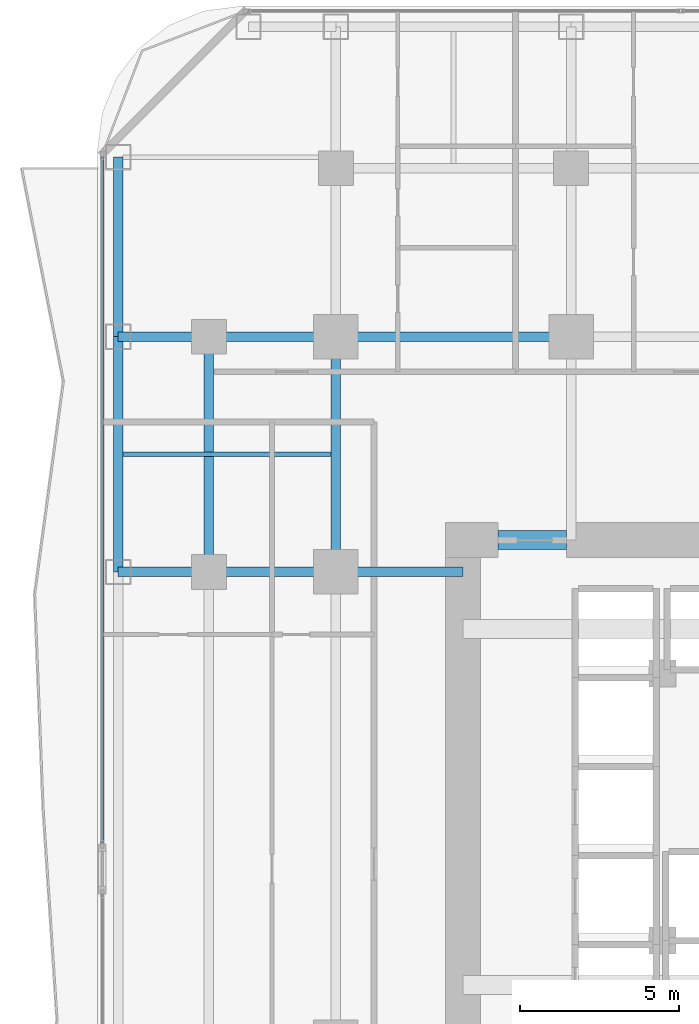
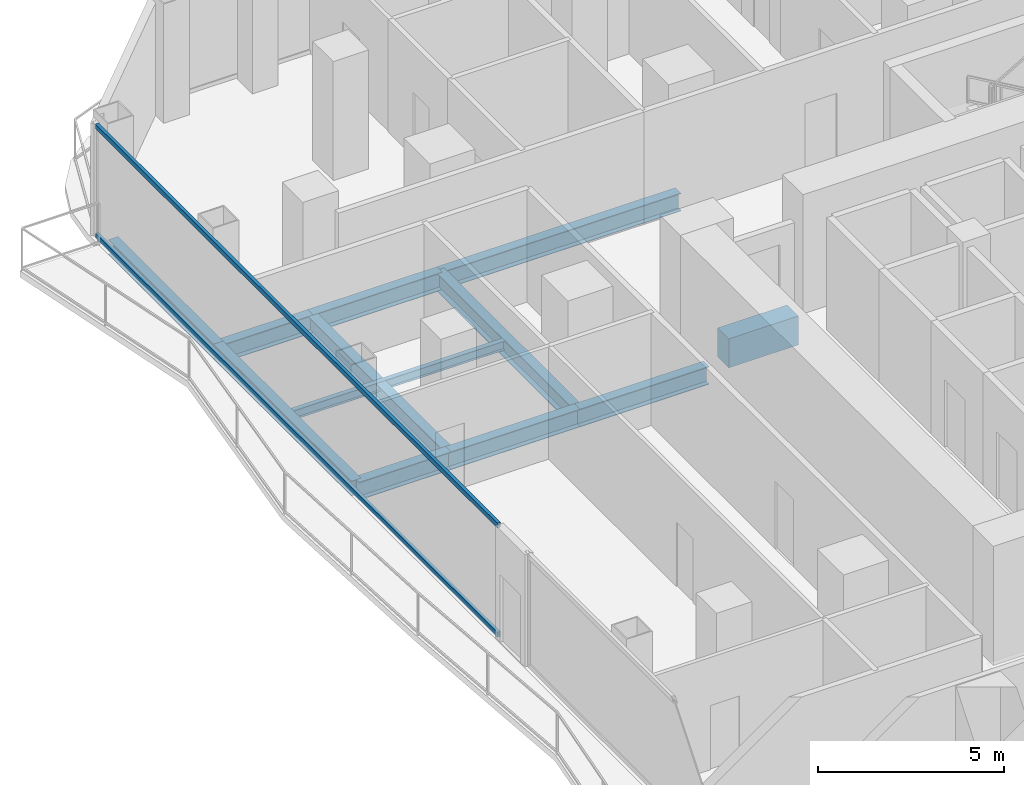
# One storey, part 13 of 27: 12 beams, 2 members, 1 element without a shape of its own.
"""IFC4 building model written with IfcOpenShell, lengths in metres."""

import ifcopenshell
import ifcopenshell.guid

model = None  # the IFC model being written
_history = None  # IfcOwnerHistory: only IFC2X3 demands one
_inside = {}  # id of a spatial element -> (the spatial element, [elements in it])
_under = {}  # id of a project, library or spatial element -> (it, [spatial elements below it])
_declared = {}  # id of a project -> (the project, [libraries it declares])
_typed = {}  # id of a type object -> (the type object, [elements of that type])
_made_of = {}  # id of a material, layer set ... -> (it, [elements and type objects made of it])


def new_model(schema):
    """Start an empty IFC model of exactly this schema.

    Asked for "IFC4X3", IfcOpenShell would pick the latest addendum, in which some entities
    have other attributes; the version numbers below select the first issue.
    IFC2X3 requires an IfcOwnerHistory on every rooted entity: one is made here for all.
    """
    global model, _history
    if schema == "IFC4X3":
        model = ifcopenshell.file(schema_version=(4, 3, 0, 0))
    else:
        model = ifcopenshell.file(schema=schema)
    _inside.clear()
    _under.clear()
    _declared.clear()
    _typed.clear()
    _made_of.clear()
    _history = None
    if model.schema == "IFC2X3":
        org = make("IfcOrganization", Name="unknown")
        user = make(
            "IfcPersonAndOrganization",
            ThePerson=make("IfcPerson", FamilyName="unknown"),
            TheOrganization=org,
        )
        app = make(
            "IfcApplication",
            ApplicationDeveloper=org,
            Version="unknown",
            ApplicationFullName="unknown",
            ApplicationIdentifier="unknown",
        )
        _history = make(
            "IfcOwnerHistory",
            OwningUser=user,
            OwningApplication=app,
            ChangeAction="ADDED",
            CreationDate=0,
        )
    return model


def make(cls, **values):
    """One entity of the class cls with the attributes given. An attribute that is None is left unset."""
    return model.create_entity(
        cls, **{name: value for name, value in values.items() if value is not None}
    )


def rooted(cls, **values):
    """An entity with a GlobalId (a new one), such as an element, a storey or a relation."""
    return make(cls, GlobalId=ifcopenshell.guid.new(), OwnerHistory=_history, **values)


def si_unit(unit_type, name, prefix=None):
    """IfcSIUnit, for example si_unit("LENGTHUNIT", "METRE", prefix="MILLI")."""
    return make("IfcSIUnit", UnitType=unit_type, Prefix=prefix, Name=name)


def assignment(units):
    """IfcUnitAssignment: the units of a project."""
    return None if units is None else make("IfcUnitAssignment", Units=units)


def point(xyz):
    """IfcCartesianPoint."""
    return None if xyz is None else make("IfcCartesianPoint", Coordinates=xyz)


def direction(xyz):
    """IfcDirection."""
    return None if xyz is None else make("IfcDirection", DirectionRatios=xyz)


def frame(location, z_axis=None, x_axis=None):
    """IfcAxis2Placement3D, a coordinate frame: its origin and axes. An axis left out is left unset."""
    return make(
        "IfcAxis2Placement3D",
        Location=point(location),
        Axis=direction(z_axis),
        RefDirection=direction(x_axis),
    )


def frame_2d(location, x_axis=None):
    """IfcAxis2Placement2D, a coordinate frame in the plane: its origin and x axis."""
    return make(
        "IfcAxis2Placement2D", Location=point(location), RefDirection=direction(x_axis)
    )


def origin():
    """The frame at (0, 0, 0) with its axes left unset."""
    return frame((0.0, 0.0, 0.0))


def origin_2d():
    """The frame at (0, 0) in the plane with its x axis left unset."""
    return frame_2d((0.0, 0.0))


def place(relative_to, where):
    """IfcLocalPlacement: puts the frame where relative to a parent placement (None: the world)."""
    return make(
        "IfcLocalPlacement", PlacementRelTo=relative_to, RelativePlacement=where
    )


def context(
    kind, dimensions, precision=None, world=None, true_north=None, identifier=None
):
    """IfcGeometricRepresentationContext, for example the 3D "Model" context."""
    return make(
        "IfcGeometricRepresentationContext",
        ContextIdentifier=identifier,
        ContextType=kind,
        CoordinateSpaceDimension=dimensions,
        Precision=precision,
        WorldCoordinateSystem=world,
        TrueNorth=true_north,
    )


def subcontext(parent, identifier, kind, view, scale=None):
    """IfcGeometricRepresentationSubContext, for example "Body" below "Model"."""
    return make(
        "IfcGeometricRepresentationSubContext",
        ContextIdentifier=identifier,
        ContextType=kind,
        ParentContext=parent,
        TargetScale=scale,
        TargetView=view,
    )


def project(units=None, contexts=None):
    """IfcProject with its units and contexts."""
    return rooted(
        "IfcProject",
        Name="project",
        RepresentationContexts=contexts,
        UnitsInContext=assignment(units),
    )


def spatial(cls, under=None, at=None, **own):
    """A site, building, storey or space (cls), placed at a placement, below another one or the project."""
    s = rooted(cls, ObjectPlacement=at, **own)
    if under is not None:
        _under.setdefault(under.id(), (under, []))[1].append(s)
    return s


def profile(cls, at=None, kind="AREA", **sizes):
    """A parametric profile (cls). Its sizes go by their IFC names, for example OverallWidth=200.0."""
    return make(cls, ProfileType=kind, Position=at, **sizes)


def rectangle(**sizes):
    """IfcRectangleProfileDef."""
    return profile("IfcRectangleProfileDef", **sizes)


def hollow_rectangle(**sizes):
    """IfcRectangleHollowProfileDef."""
    return profile("IfcRectangleHollowProfileDef", **sizes)


def i_section(**sizes):
    """IfcIShapeProfileDef."""
    return profile("IfcIShapeProfileDef", **sizes)


def extrude(swept, where, along, depth):
    """IfcExtrudedAreaSolid: the profile swept, set in the frame where, extruded along a direction by depth."""
    return make(
        "IfcExtrudedAreaSolid",
        SweptArea=swept,
        Position=where,
        ExtrudedDirection=direction(along),
        Depth=depth,
    )


def shape(context_of_items, identifier, shape_type, items):
    """IfcShapeRepresentation: the items that make up one representation, for example the "Body"."""
    return make(
        "IfcShapeRepresentation",
        ContextOfItems=context_of_items,
        RepresentationIdentifier=identifier,
        RepresentationType=shape_type,
        Items=items,
    )


def material(Name=None, Category=None):
    """IfcMaterial."""
    return make("IfcMaterial", Name=Name, Category=Category)


def layer(
    of_material, thickness, ventilated=None, Name=None, Category=None, Priority=None
):
    """IfcMaterialLayer: one layer of a wall or slab, of a material (None: an air gap)."""
    return make(
        "IfcMaterialLayer",
        Material=of_material,
        LayerThickness=thickness,
        IsVentilated=ventilated,
        Name=Name,
        Category=Category,
        Priority=Priority,
    )


def layer_set(layers, Name=None):
    """IfcMaterialLayerSet."""
    return make("IfcMaterialLayerSet", MaterialLayers=layers, LayerSetName=Name)


def material_profile(
    of_material, cross_section, Name=None, Category=None, Priority=None
):
    """IfcMaterialProfile: a cross section and its material."""
    return make(
        "IfcMaterialProfile",
        Name=Name,
        Material=of_material,
        Profile=cross_section,
        Priority=Priority,
        Category=Category,
    )


def profile_set(profiles, Name=None, composite=None):
    """IfcMaterialProfileSet."""
    return make(
        "IfcMaterialProfileSet",
        Name=Name,
        MaterialProfiles=profiles,
        CompositeProfile=composite,
    )


def made_of(thing, what):
    """Note that an element or type object is made of a material, layer set ...; save() writes the relation."""
    if what is not None:
        _made_of.setdefault(what.id(), (what, []))[1].append(thing)
    return thing


def type_object(cls, material=None, **own):
    """A type object (cls), such as IfcWallType, which elements share."""
    return made_of(rooted(cls, **own), material)


def element(
    cls,
    number,
    at=None,
    inside=None,
    cuts=None,
    type_object=None,
    material=None,
    context=None,
    identifier="Body",
    shape_type=None,
    held_by="IfcProductDefinitionShape",
    body=None,
    shapes=None,
    **own,
):
    """One element of the class cls, such as IfcWall. Its Tag is "e" and its number.

    at: its placement. inside: the storey or other place that contains it. cuts: it is an
    opening in that element (IfcRelVoidsElement). A single representation is given by context,
    identifier, shape_type and body (its items); several are given by shapes. held_by: the class
    of the entity that holds the representations. save() writes the other relations.
    """
    e = rooted(cls, Tag="e%d" % number, ObjectPlacement=at, **own)
    if body is not None:
        shapes = [shape(context, identifier, shape_type, body)]
    if shapes is not None:
        e.Representation = make(held_by, Representations=shapes)
    if inside is not None:
        _inside.setdefault(inside.id(), (inside, []))[1].append(e)
    if cuts is not None:
        rooted(
            "IfcRelVoidsElement", RelatingBuildingElement=cuts, RelatedOpeningElement=e
        )
    if type_object is not None:
        _typed.setdefault(type_object.id(), (type_object, []))[1].append(e)
    return made_of(e, material)


def aggregate(whole, parts):
    """IfcRelAggregates: a whole, such as a stair, and the parts it consists of."""
    return rooted("IfcRelAggregates", RelatingObject=whole, RelatedObjects=parts)


def save(model, path):
    """Write the relations noted so far, then the file.

    IfcRelAggregates (storeys below a building ...), IfcRelContainedInSpatialStructure (elements
    in a storey), IfcRelDefinesByType, IfcRelAssociatesMaterial and IfcRelDeclares: one each for
    every whole, place, type object, material and project.
    """
    for whole, parts in _under.values():
        aggregate(whole, parts)
    for where, things in _inside.values():
        rooted(
            "IfcRelContainedInSpatialStructure",
            RelatedElements=things,
            RelatingStructure=where,
        )
    for kind, things in _typed.values():
        rooted("IfcRelDefinesByType", RelatedObjects=things, RelatingType=kind)
    for what, things in _made_of.values():
        rooted("IfcRelAssociatesMaterial", RelatedObjects=things, RelatingMaterial=what)
    for by, libraries in _declared.values():
        rooted("IfcRelDeclares", RelatingContext=by, RelatedDefinitions=libraries)
    model.write(path)


model = new_model("IFC4")

# Units and contexts
model_context = context("Model", 3, precision=1e-05, world=origin(), true_north=direction((0.0, 1.0)))
body_context = subcontext(model_context, "Body", "Model", "MODEL_VIEW")
ifc_project = project(units=[si_unit("LENGTHUNIT", "METRE"), si_unit("AREAUNIT", "SQUARE_METRE"), si_unit("VOLUMEUNIT", "CUBIC_METRE"), si_unit("PLANEANGLEUNIT", "RADIAN"), si_unit("MASSUNIT", "GRAM", prefix="KILO")], contexts=[model_context])

# Site, building, storey
site_placement = place(None, origin())
site = spatial("IfcSite", under=ifc_project, at=site_placement, CompositionType="ELEMENT")
building_placement = place(site_placement, origin())
building = spatial("IfcBuilding", under=site, at=building_placement, Name="Khorvyn Point Tower", CompositionType="ELEMENT")
storey_placement = place(building_placement, frame((0.0, 0.0, 42.300048828125)))
storey = spatial("IfcBuildingStorey", under=building, at=storey_placement, Name="L11", CompositionType="ELEMENT", Elevation=42.300048828125)

# Curtain wall, members
ifc_material_1 = material(Name="Anodised aluminium 6063-T6 and laminated Low-E glass", Category="aluminium")
ifc_layer = layer(ifc_material_1, 0.18994140625)
ifc_layer_set = layer_set([ifc_layer], Name="Stick-Built Finned Residential Curtain Wall CW-SYS-02")
curtain_wall_type = type_object("IfcCurtainWallType", Name="Stick-Built Finned Residential Curtain Wall CW-SYS-02", PredefinedType="NOTDEFINED", material=ifc_layer_set)
curtain_wall_placement = place(storey_placement, origin())
curtain_wall = element("IfcCurtainWall", 1, at=curtain_wall_placement, inside=storey, type_object=curtain_wall_type, Name="Curtain Wall", PredefinedType="NOTDEFINED")
ifc_material_2 = material(Name="Anodised aluminium 6063-T6", Category="aluminium")
ifc_material_profile_1 = material_profile(ifc_material_2, hollow_rectangle(XDim=0.10009765625, YDim=0.159912109375, WallThickness=0.00439453125, at=origin_2d()))
ifc_profile_set_1 = profile_set([ifc_material_profile_1], Name="Anodised aluminium 6063-T6 ALU-TRN-100x160")
member_type = type_object("IfcMemberType", Name="Anodised Aluminium 6063-T6 Transom ALU-TRN-100x160", PredefinedType="USERDEFINED", material=ifc_profile_set_1)
member_1_placement = place(storey_placement, frame((-22.14990234375, -1.1220703125, 0.050048828125), z_axis=(0.0, 1.0, 0.0), x_axis=(-1.0, 0.0, 0.0)))
member_1 = element("IfcMember", 2, at=member_1_placement, type_object=member_type, Name="Transom", ObjectType="TRANSOM", PredefinedType="USERDEFINED", context=body_context, shape_type="SweptSolid", body=[
    extrude(hollow_rectangle(XDim=0.10009765625, YDim=0.159912109375, WallThickness=0.00439453125, at=origin_2d()), origin(), (0.0, 0.0, 1.0), 21.572021484375),
])
member_2_placement = place(storey_placement, frame((-22.14990234375, -1.1220703125, 3.6298828125), z_axis=(0.0, 1.0, 0.0), x_axis=(-1.0, 0.0, 0.0)))
member_2 = element("IfcMember", 3, at=member_2_placement, type_object=member_type, Name="Transom", ObjectType="TRANSOM", PredefinedType="USERDEFINED", context=body_context, shape_type="SweptSolid", body=[
    extrude(hollow_rectangle(XDim=0.10009765625, YDim=0.159912109375, WallThickness=0.00439453125, at=origin_2d()), origin(), (0.0, 0.0, 1.0), 21.572021484375),
])
aggregate(curtain_wall, [member_1, member_2])

# Beams
ifc_material_3 = material(Name="Concrete C50/60", Category="concrete")
ifc_material_profile_2 = material_profile(ifc_material_3, rectangle(XDim=0.60009765625, YDim=0.949951171875, at=origin_2d()))
ifc_profile_set_2 = profile_set([ifc_material_profile_2], Name="Concrete C50/60 RC600x950")
beam_type_1 = type_object("IfcBeamType", Name="Concrete C50/60 Beam RC600x950", PredefinedType="BEAM", material=ifc_profile_set_2)
beam_1_placement = place(storey_placement, frame((-9.699951171875, 8.39990234375, -0.695068359375), z_axis=(1.0, 0.0, 0.0), x_axis=(0.0, 1.0, 0.0)))
element("IfcBeam", 4, at=beam_1_placement, inside=storey, type_object=beam_type_1, Name="L11 Core Northwest Portal Coupling Beam", PredefinedType="BEAM", context=body_context, shape_type="SweptSolid", body=[
    extrude(rectangle(XDim=0.60009765625, YDim=0.949951171875, at=origin_2d()), origin(), (0.0, 0.0, 1.0), 2.14990234375),
])
ifc_material_4 = material(Name="Steel S355", Category="steel")
ifc_material_profile_3 = material_profile(ifc_material_4, i_section(OverallWidth=0.300048828125, OverallDepth=0.587890625, WebThickness=0.011962890625, FlangeThickness=0.02001953125, at=origin_2d()))
ifc_profile_set_3 = profile_set([ifc_material_profile_3], Name="Steel S355 H588x300x12x20")
beam_type_2 = type_object("IfcBeamType", Name="Steel S355 Beam H588x300x12x20", PredefinedType="BEAM", material=ifc_profile_set_3)
beam_2_placement = place(storey_placement, frame((-21.64990234375, 14.800048828125, -0.51416015625), z_axis=(1.0, 0.0, 0.0), x_axis=(0.0, 1.0, 0.0)))
element("IfcBeam", 5, at=beam_2_placement, inside=storey, type_object=beam_type_2, Name="Beam", PredefinedType="BEAM", context=body_context, shape_type="SweptSolid", body=[
    extrude(i_section(OverallWidth=0.300048828125, OverallDepth=0.587890625, WebThickness=0.011962890625, FlangeThickness=0.02001953125, at=origin_2d()), origin(), (0.0, 0.0, 1.0), 2.849853515625),
])
beam_3_placement = place(storey_placement, frame((-18.800048828125, 14.800048828125, -0.51416015625), z_axis=(1.0, 0.0, 0.0), x_axis=(0.0, 1.0, 0.0)))
element("IfcBeam", 6, at=beam_3_placement, inside=storey, type_object=beam_type_2, Name="Beam", PredefinedType="BEAM", context=body_context, shape_type="SweptSolid", body=[
    extrude(i_section(OverallWidth=0.300048828125, OverallDepth=0.587890625, WebThickness=0.011962890625, FlangeThickness=0.02001953125, at=origin_2d()), origin(), (0.0, 0.0, 1.0), 4.0),
])
beam_4_placement = place(storey_placement, frame((-14.800048828125, 14.800048828125, -0.51416015625), z_axis=(1.0, 0.0, 0.0), x_axis=(0.0, 1.0, 0.0)))
element("IfcBeam", 7, at=beam_4_placement, inside=storey, type_object=beam_type_2, Name="Beam", PredefinedType="BEAM", context=body_context, shape_type="SweptSolid", body=[
    extrude(i_section(OverallWidth=0.300048828125, OverallDepth=0.587890625, WebThickness=0.011962890625, FlangeThickness=0.02001953125, at=origin_2d()), origin(), (0.0, 0.0, 1.0), 7.400146484375),
])
beam_5_placement = place(storey_placement, frame((-21.64990234375, 7.39990234375, -0.51416015625), z_axis=(1.0, 0.0, 0.0), x_axis=(0.0, 1.0, 0.0)))
element("IfcBeam", 8, at=beam_5_placement, inside=storey, type_object=beam_type_2, Name="Beam", PredefinedType="BEAM", context=body_context, shape_type="SweptSolid", body=[
    extrude(i_section(OverallWidth=0.300048828125, OverallDepth=0.587890625, WebThickness=0.011962890625, FlangeThickness=0.02001953125, at=origin_2d()), origin(), (0.0, 0.0, 1.0), 2.849853515625),
])
for number, where, z_axis, x_axis, name in (
    (9, (-18.800048828125, 7.39990234375, -0.51416015625), (1.0, 0.0, 0.0), (0.0, 1.0, 0.0), "Beam"),
    (10, (-14.800048828125, 7.39990234375, -0.51416015625), (1.0, 0.0, 0.0), (0.0, 1.0, 0.0), "Beam"),
):
    element("IfcBeam", number, at=place(storey_placement, frame(where, z_axis=z_axis, x_axis=x_axis)), inside=storey, type_object=beam_type_2, Name=name, PredefinedType="BEAM", context=body_context, shape_type="SweptSolid", body=[
        extrude(i_section(OverallWidth=0.300048828125, OverallDepth=0.587890625, WebThickness=0.011962890625, FlangeThickness=0.02001953125, at=origin_2d()), origin(), (0.0, 0.0, 1.0), 4.0),
    ])
for number, where, z_axis, x_axis, name in (
    (11, (-14.800048828125, 7.39990234375, -0.51416015625), (0.0, 1.0, 0.0), (-1.0, 0.0, 0.0), "Beam"),
    (12, (-18.800048828125, 7.39990234375, -0.51416015625), (0.0, 1.0, 0.0), (-1.0, 0.0, 0.0), "Beam"),
):
    element("IfcBeam", number, at=place(storey_placement, frame(where, z_axis=z_axis, x_axis=x_axis)), inside=storey, type_object=beam_type_2, Name=name, PredefinedType="BEAM", context=body_context, shape_type="SweptSolid", body=[
        extrude(i_section(OverallWidth=0.300048828125, OverallDepth=0.587890625, WebThickness=0.011962890625, FlangeThickness=0.02001953125, at=origin_2d()), origin(), (0.0, 0.0, 1.0), 7.400146484375),
    ])
ifc_material_profile_4 = material_profile(ifc_material_4, i_section(OverallWidth=0.14990234375, OverallDepth=0.300048828125, WebThickness=0.006591796875, FlangeThickness=0.009033203125, at=origin_2d()))
ifc_profile_set_4 = profile_set([ifc_material_profile_4], Name="Steel S355 H300x150x6.5x9")
beam_type_3 = type_object("IfcBeamType", Name="Steel S355 Joist H300x150x6.5x9", PredefinedType="JOIST", material=ifc_profile_set_4)
beam_6_placement = place(storey_placement, frame((-21.5, 11.10009765625, -0.3701171875), z_axis=(1.0, 0.0, 0.0), x_axis=(0.0, 1.0, 0.0)))
element("IfcBeam", 13, at=beam_6_placement, inside=storey, type_object=beam_type_3, Name="Beam", PredefinedType="JOIST", context=body_context, shape_type="SweptSolid", body=[
    extrude(i_section(OverallWidth=0.14990234375, OverallDepth=0.300048828125, WebThickness=0.006591796875, FlangeThickness=0.009033203125, at=origin_2d()), origin(), (0.0, 0.0, 1.0), 6.550048828125),
])
ifc_material_profile_5 = material_profile(ifc_material_4, i_section(OverallWidth=0.300048828125, OverallDepth=0.488037109375, WebThickness=0.010986328125, FlangeThickness=0.01806640625, at=origin_2d()))
ifc_profile_set_5 = profile_set([ifc_material_profile_5], Name="Steel S355 H488x300x11x18")
beam_type_4 = type_object("IfcBeamType", Name="Steel S355 Spandrel H488x300x11x18", PredefinedType="SPANDREL", material=ifc_profile_set_5)
beam_7_placement = place(storey_placement, frame((-21.64990234375, 7.39990234375, -0.464111328125), z_axis=(0.0, 1.0, 0.0), x_axis=(-1.0, 0.0, 0.0)))
element("IfcBeam", 14, at=beam_7_placement, inside=storey, type_object=beam_type_4, Name="Beam", PredefinedType="SPANDREL", context=body_context, shape_type="SweptSolid", body=[
    extrude(i_section(OverallWidth=0.300048828125, OverallDepth=0.488037109375, WebThickness=0.010986328125, FlangeThickness=0.01806640625, at=origin_2d()), origin(), (0.0, 0.0, 1.0), 7.400146484375),
])
beam_8_placement = place(storey_placement, frame((-21.64990234375, 14.800048828125, -0.464111328125), z_axis=(0.0, 1.0, 0.0), x_axis=(-1.0, 0.0, 0.0)))
element("IfcBeam", 15, at=beam_8_placement, inside=storey, type_object=beam_type_4, Name="Beam", PredefinedType="SPANDREL", context=body_context, shape_type="SweptSolid", body=[
    extrude(i_section(OverallWidth=0.300048828125, OverallDepth=0.488037109375, WebThickness=0.010986328125, FlangeThickness=0.01806640625, at=origin_2d()), origin(), (0.0, 0.0, 1.0), 5.64990234375),
])

save(model, "model.ifc")
